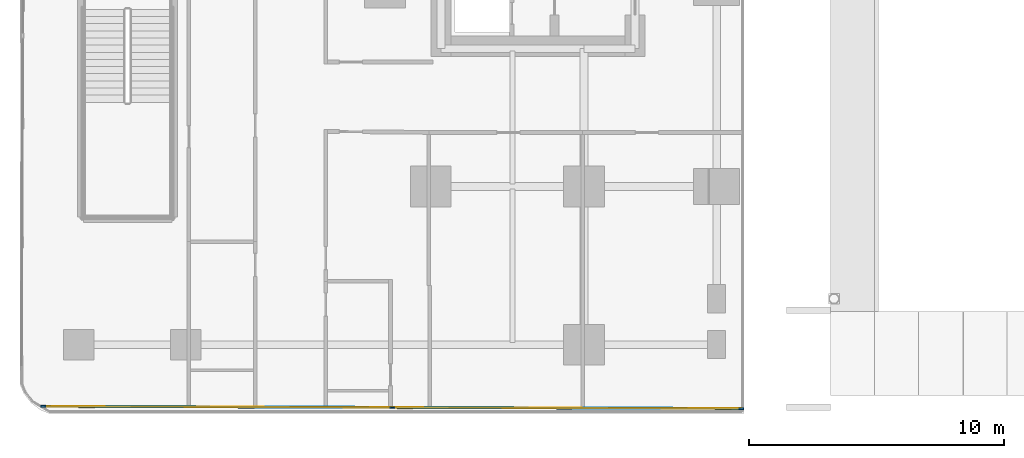
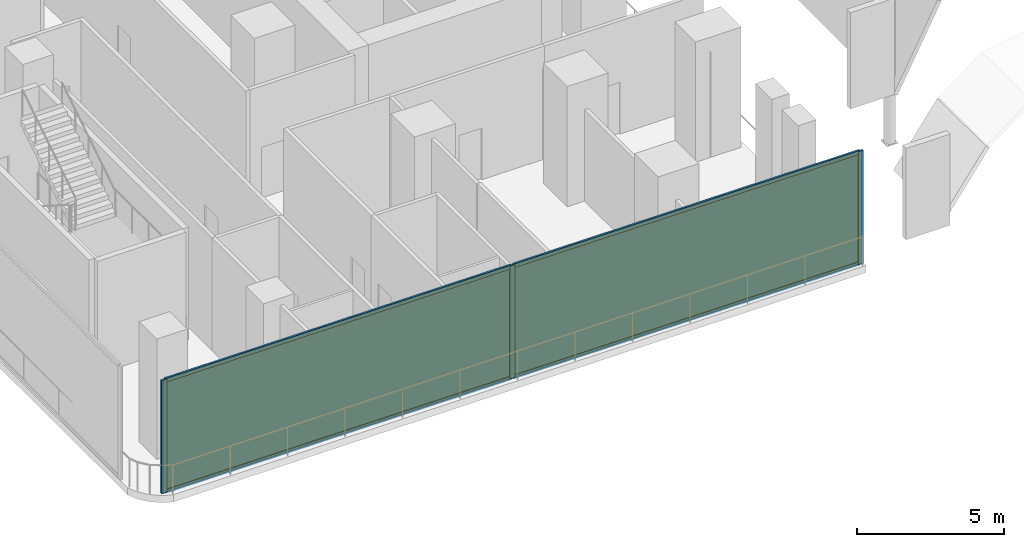
# One storey, part 14 of 31: 7 members, 2 plates, 1 curtain wall.
"""IFC4 building model written with IfcOpenShell, lengths in metres."""

from ifc_helpers import new_model, si_unit, direction, frame, frame_2d, origin, origin_2d, place, context, subcontext, project, spatial, rectangle, extrude, material, layer, layer_set, material_profile, profile_set, type_object, element, aggregate, save


model = new_model("IFC4")

# Units and contexts
model_context = context("Model", 3, precision=1e-05, world=origin(), true_north=direction((0.0, 1.0)))
body_context = subcontext(model_context, "Body", "Model", "MODEL_VIEW")
ifc_project = project(units=[si_unit("LENGTHUNIT", "METRE"), si_unit("AREAUNIT", "SQUARE_METRE"), si_unit("VOLUMEUNIT", "CUBIC_METRE"), si_unit("PLANEANGLEUNIT", "RADIAN"), si_unit("MASSUNIT", "GRAM", prefix="KILO")], contexts=[model_context])

# Member
ifc_material_1 = material(Name="Anodised Bronze Aluminium 6063-T6", Category="aluminium")
ifc_material_profile_1 = material_profile(ifc_material_1, rectangle(XDim=0.074951171875, YDim=0.199951171875, at=origin_2d()))
ifc_profile_set_1 = profile_set([ifc_material_profile_1], Name="Anodised Bronze Aluminium 6063-T6")
member_type_1 = type_object("IfcMemberType", Name="CW-POD Mullion 75x200", PredefinedType="MULLION", material=ifc_profile_set_1)
site_placement = place(None, origin())
building_placement = place(site_placement, origin())
storey_placement = place(building_placement, frame((0.0, 0.0, 11.0)))
member_1_placement = place(storey_placement, frame((-8.237548828125, -27.304931640625, 0.0), z_axis=(0.0, 0.0, 1.0), x_axis=(-0.003140108449, -0.999995069847, 0.0)))
member_1 = element("IfcMember", 1, at=member_1_placement, type_object=member_type_1, Name="CW-POD mullion 1", PredefinedType="MULLION", context=body_context, shape_type="SweptSolid", body=[
    extrude(rectangle(XDim=0.074951171875, YDim=0.199951171875, at=origin_2d()), origin(), (0.0, 0.0, 1.0), 4.699951171875),
])

member_2_placement = place(storey_placement, frame((-21.90966796875, -27.261962890625, 0.0), z_axis=(0.0, 0.0, 1.0), x_axis=(-0.003140108449, -0.999995069847, 0.0)))
member_2 = element("IfcMember", 2, at=member_2_placement, type_object=member_type_1, Name="CW-POD mullion 2", PredefinedType="MULLION", context=body_context, shape_type="SweptSolid", body=[
    extrude(rectangle(XDim=0.074951171875, YDim=0.199951171875, at=origin_2d()), origin(), (0.0, 0.0, 1.0), 4.699951171875),
])

member_3_placement = place(storey_placement, frame((-35.581787109375, -27.21923828125, 0.0), z_axis=(0.0, 0.0, 1.0), x_axis=(-0.003140108449, -0.999995069847, 0.0)))
member_3 = element("IfcMember", 3, at=member_3_placement, type_object=member_type_1, Name="CW-POD mullion 3", PredefinedType="MULLION", context=body_context, shape_type="SweptSolid", body=[
    extrude(rectangle(XDim=0.074951171875, YDim=0.199951171875, at=origin_2d()), origin(), (0.0, 0.0, 1.0), 4.699951171875),
])

ifc_material_2 = material(Name="Anodised Bronze Aluminium 6063-T6", Category="aluminium")
ifc_material_profile_2 = material_profile(ifc_material_2, rectangle(XDim=0.074951171875, YDim=0.159912109375, at=origin_2d()))
ifc_profile_set_2 = profile_set([ifc_material_profile_2], Name="Anodised Bronze Aluminium 6063-T6")
member_type_2 = type_object("IfcMemberType", Name="CW-POD Transom 75x160", PredefinedType="USERDEFINED", material=ifc_profile_set_2)
member_4_placement = place(storey_placement, frame((-8.27490234375, -27.304931640625, 0.03759765625), z_axis=(-0.999995063421, 0.003142154202, 0.0), x_axis=(-0.003142154202, -0.999995063421, 0.0)))
member_4 = element("IfcMember", 4, at=member_4_placement, type_object=member_type_2, Name="CW-POD transom 1.1", ObjectType="TRANSOM", PredefinedType="USERDEFINED", context=body_context, shape_type="SweptSolid", body=[
    extrude(rectangle(XDim=0.074951171875, YDim=0.159912109375, at=origin_2d()), origin(), (0.0, 0.0, 1.0), 13.59716796875),
])

member_5_placement = place(storey_placement, frame((-8.27490234375, -27.304931640625, 4.66259765625), z_axis=(-0.999995063421, 0.003142154202, 0.0), x_axis=(-0.003142154202, -0.999995063421, 0.0)))
member_5 = element("IfcMember", 5, at=member_5_placement, type_object=member_type_2, Name="CW-POD transom 1.2", ObjectType="TRANSOM", PredefinedType="USERDEFINED", context=body_context, shape_type="SweptSolid", body=[
    extrude(rectangle(XDim=0.074951171875, YDim=0.159912109375, at=origin_2d()), origin(), (0.0, 0.0, 1.0), 13.59716796875),
])

member_6_placement = place(storey_placement, frame((-21.947265625, -27.261962890625, 0.03759765625), z_axis=(-0.999995063244, 0.00314221062, 0.0), x_axis=(-0.00314221062, -0.999995063244, 0.0)))
member_6 = element("IfcMember", 6, at=member_6_placement, type_object=member_type_2, Name="CW-POD transom 2.1", ObjectType="TRANSOM", PredefinedType="USERDEFINED", context=body_context, shape_type="SweptSolid", body=[
    extrude(rectangle(XDim=0.074951171875, YDim=0.159912109375, at=origin_2d()), origin(), (0.0, 0.0, 1.0), 13.596923828125),
])

member_7_placement = place(storey_placement, frame((-21.947265625, -27.261962890625, 4.66259765625), z_axis=(-0.999995063244, 0.00314221062, 0.0), x_axis=(-0.00314221062, -0.999995063244, 0.0)))
member_7 = element("IfcMember", 7, at=member_7_placement, type_object=member_type_2, Name="CW-POD transom 2.2", ObjectType="TRANSOM", PredefinedType="USERDEFINED", context=body_context, shape_type="SweptSolid", body=[
    extrude(rectangle(XDim=0.074951171875, YDim=0.159912109375, at=origin_2d()), origin(), (0.0, 0.0, 1.0), 13.596923828125),
])

# Plate
ifc_material_3 = material(Name="Low-E Solar Control Laminated Glass", Category="glass")
ifc_layer_1 = layer(ifc_material_3, 0.031982421875, Name="Low-E Solar Control Laminated Glass")
ifc_layer_set_1 = layer_set([ifc_layer_1], Name="Low-E Solar Control Laminated Glass")
plate_type = type_object("IfcPlateType", Name="CW-POD Low-E Double Glazed Panel 32mm", PredefinedType="CURTAIN_PANEL", material=ifc_layer_set_1)
plate_1_placement = place(storey_placement, frame((-15.073486328125, -27.283447265625, 0.0751953125), z_axis=(0.0, 0.0, 1.0), x_axis=(-0.999995069847, 0.003140108449, 0.0)))
plate_1 = element("IfcPlate", 8, at=plate_1_placement, type_object=plate_type, Name="CW-POD panel 1.1", PredefinedType="CURTAIN_PANEL", context=body_context, shape_type="SweptSolid", body=[
    extrude(rectangle(XDim=13.59716796875, YDim=0.031982421875, at=origin_2d()), origin(), (0.0, 0.0, 1.0), 4.550048828125),
])

plate_2_placement = place(storey_placement, frame((-28.74560546875, -27.240478515625, 0.0751953125), z_axis=(0.0, 0.0, 1.0), x_axis=(-0.999995069847, 0.003140108449, 0.0)))
plate_2 = element("IfcPlate", 9, at=plate_2_placement, type_object=plate_type, Name="CW-POD panel 2.1", PredefinedType="CURTAIN_PANEL", context=body_context, shape_type="SweptSolid", body=[
    extrude(rectangle(XDim=13.59716796875, YDim=0.031982421875, at=origin_2d()), origin(), (0.0, 0.0, 1.0), 4.550048828125),
])

# Site, building, storey
site = spatial("IfcSite", under=ifc_project, at=site_placement, CompositionType="ELEMENT")
building = spatial("IfcBuilding", under=site, at=building_placement, Name="Khairoan Windgate Tower", CompositionType="ELEMENT")
storey = spatial("IfcBuildingStorey", under=building, at=storey_placement, Name="L03", CompositionType="ELEMENT", Elevation=11.0)

# Curtain wall
ifc_material_4 = material(Name="Anodised Bronze Aluminium 6063-T6", Category="aluminium")
ifc_layer_2 = layer(ifc_material_4, 0.199951171875, Name="Anodised Bronze Aluminium 6063-T6")
ifc_layer_set_2 = layer_set([ifc_layer_2], Name="Anodised Bronze Aluminium 6063-T6")
curtain_wall_type = type_object("IfcCurtainWallType", Name="Podium Arch Galleria Curtain Wall CW-POD", PredefinedType="NOTDEFINED", material=ifc_layer_set_2)
curtain_wall_placement = place(storey_placement, frame((-8.199951171875, -27.30517578125, 0.0), z_axis=(0.0, 0.0, 1.0), x_axis=(-0.999995060541, 0.003143070576, 0.0)))
curtain_wall = element("IfcCurtainWall", 10, at=curtain_wall_placement, inside=storey, type_object=curtain_wall_type, Name="L03 Sculpted Podium Wing Curtain Wall 1.8", PredefinedType="NOTDEFINED", context=body_context, shape_type="SweptSolid", body=[
    extrude(rectangle(XDim=27.419677734375, YDim=0.010009765625, at=frame_2d((13.7099609375, 0.0))), origin(), (0.0, 0.0, 1.0), 4.699951171875),
])

aggregate(curtain_wall, [member_1, member_2, member_3, member_4, member_5, plate_1, member_6, member_7, plate_2])

save(model, "model.ifc")
